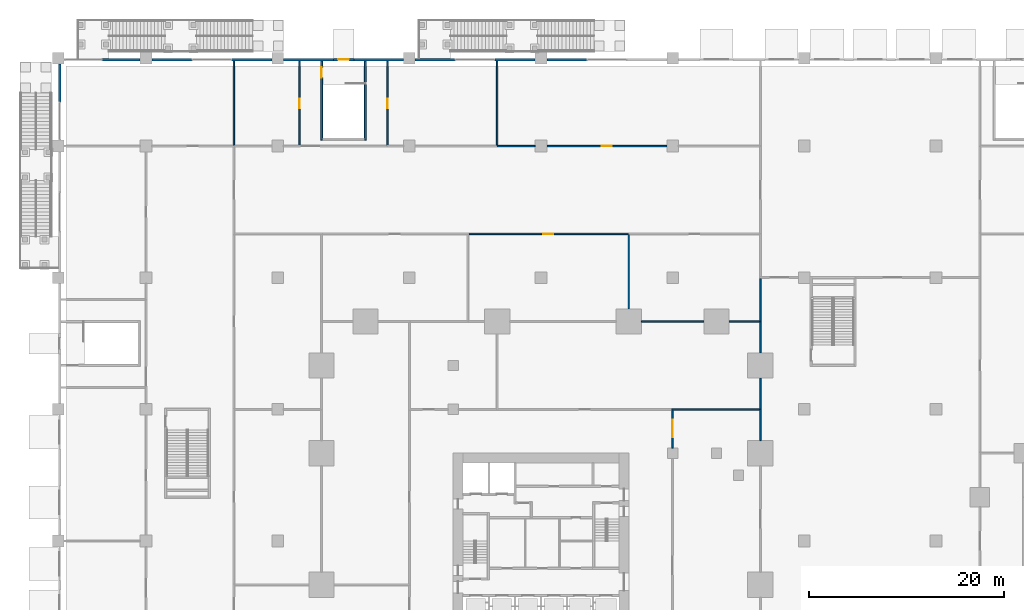
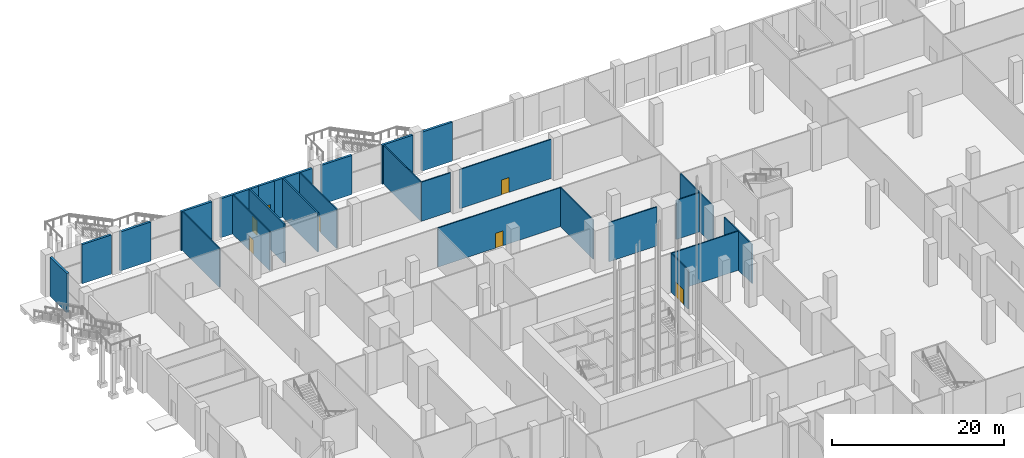
# One storey, part 31 of 68: 28 walls, 7 doors, 7 openings.
"""IFC4 building model written with IfcOpenShell, lengths in metres."""

from ifc_helpers import new_model, si_unit, direction, frame, frame_2d, origin, place, context, subcontext, project, spatial, rectangle, extrude, material, layer, layer_set, type_object, element, fill, save


model = new_model("IFC4")

# Units and contexts
model_context = context("Model", 3, precision=1e-05, world=origin(), true_north=direction((0.0, 1.0)))
body_context = subcontext(model_context, "Body", "Model", "MODEL_VIEW")
ifc_project = project(units=[si_unit("LENGTHUNIT", "METRE"), si_unit("AREAUNIT", "SQUARE_METRE"), si_unit("VOLUMEUNIT", "CUBIC_METRE"), si_unit("PLANEANGLEUNIT", "RADIAN"), si_unit("MASSUNIT", "GRAM", prefix="KILO")], contexts=[model_context])

# Site, building, storey
site_placement = place(None, origin())
site = spatial("IfcSite", under=ifc_project, at=site_placement, CompositionType="ELEMENT")
building_placement = place(site_placement, origin())
building = spatial("IfcBuilding", under=site, at=building_placement, Name="Altepetl Exchange Towers", CompositionType="ELEMENT")
storey_placement = place(building_placement, origin())
storey = spatial("IfcBuildingStorey", under=building, at=storey_placement, Name="L00 Ground concourse", CompositionType="ELEMENT", Elevation=0.0)

# Walls
ifc_material_1 = material(Name="Gypsum board on steel studs", Category="steel")
ifc_layer_1 = layer(ifc_material_1, 0.14990234375)
ifc_layer_set_1 = layer_set([ifc_layer_1], Name="Gypsum board on steel studs")
wall_type_1 = type_object("IfcWallType", Name="Podium partition 150", PredefinedType="PARTITIONING", material=ifc_layer_set_1)
wall_1_placement = place(storey_placement, frame((72.0, 71.925048828125, 0.0), z_axis=(0.0, 0.0, 1.0), x_axis=(0.0, 1.0, 0.0)))
element("IfcWall", 1, at=wall_1_placement, inside=storey, type_object=wall_type_1, Name="wall:P:L00:P015", PredefinedType="PARTITIONING", context=body_context, shape_type="SweptSolid", body=[
    extrude(rectangle(XDim=4.5, YDim=0.14990234375, at=frame_2d((2.25, 0.0))), origin(), (0.0, 0.0, 1.0), 5.550048828125),
])
wall_2_placement = place(storey_placement, frame((72.0, 62.925048828125, 0.0), z_axis=(0.0, 0.0, 1.0), x_axis=(0.0, 1.0, 0.0)))
element("IfcWall", 2, at=wall_2_placement, inside=storey, type_object=wall_type_1, Name="wall:P:L00:P018", PredefinedType="PARTITIONING", context=body_context, shape_type="SweptSolid", body=[
    extrude(rectangle(XDim=3.280029296875, YDim=0.14990234375, at=frame_2d((1.64013671875, 0.0))), origin(), (0.0, 0.0, 1.0), 5.550048828125),
])
for number, where, z_axis, x_axis, name in (
    (3, (72.0, 68.794921875, 0.0), (0.0, 0.0, 1.0), (0.0, 1.0, 0.0), "wall:P:L00:P019"),
    (4, (72.0, 59.794921875, 0.0), (0.0, 0.0, 1.0), (0.0, 1.0, 0.0), "wall:P:L00:P022"),
):
    element("IfcWall", number, at=place(storey_placement, frame(where, z_axis=z_axis, x_axis=x_axis)), inside=storey, type_object=wall_type_1, Name=name, PredefinedType="PARTITIONING", context=body_context, shape_type="SweptSolid", body=[
        extrude(rectangle(XDim=3.205078125, YDim=0.14990234375, at=frame_2d((1.6025390625, 0.0))), origin(), (0.0, 0.0, 1.0), 5.550048828125),
    ])
wall_3_placement = place(storey_placement, frame((45.0, 90.0, 0.0)))
element("IfcWall", 5, at=wall_3_placement, inside=storey, type_object=wall_type_1, Name="wall:P:L00:P093", PredefinedType="PARTITIONING", context=body_context, shape_type="SweptSolid", body=[
    extrude(rectangle(XDim=3.905029296875, YDim=0.14990234375, at=frame_2d((1.95263671875, 0.0))), origin(), (0.0, 0.0, 1.0), 5.550048828125),
])

# Wall, opening, door
wall_4_placement = place(storey_placement, frame((50.094970703125, 90.0, 0.0)))
wall_4 = element("IfcWall", 6, at=wall_4_placement, inside=storey, type_object=wall_type_1, Name="wall:P:L00:P094", PredefinedType="PARTITIONING", context=body_context, shape_type="SweptSolid", body=[
    extrude(rectangle(XDim=12.31005859375, YDim=0.14990234375, at=frame_2d((6.155029296875, 0.0))), origin(), (0.0, 0.0, 1.0), 5.550048828125),
])
opening_1_placement = place(wall_4_placement, frame((5.64990234375, 0.0, 0.0)))
opening_1 = element("IfcOpeningElement", 7, at=opening_1_placement, cuts=wall_4, Name="Opening L00.P013", PredefinedType="OPENING", context=body_context, shape_type="SweptSolid", body=[
    extrude(rectangle(XDim=1.0, YDim=2.10009765625, at=frame_2d((0.5, 1.050048828125))), frame((0.0, 0.0849609375, 0.0), z_axis=(0.0, -1.0, 0.0), x_axis=(1.0, 0.0, 0.0)), (0.0, 0.0, 1.0), 0.169921875),
])
ifc_material_2 = material(Name="Steel and timber fire door", Category="steel")
door_type_1 = type_object("IfcDoorType", Name="Podium fire door 1000 x 2100 single leaf", OperationType="SINGLE_SWING_LEFT", PredefinedType="DOOR", material=ifc_material_2)
door_1_placement = place(opening_1_placement, origin())
door_1 = element("IfcDoor", 8, at=door_1_placement, inside=storey, type_object=door_type_1, Name="door:P:L00:013", OperationType="SINGLE_SWING_RIGHT", OverallHeight=2.10009765625, OverallWidth=1.0, PredefinedType="DOOR", context=body_context, shape_type="SweptSolid", body=[
    extrude(rectangle(XDim=1.0, YDim=2.10009765625, at=frame_2d((0.5, 1.050048828125))), frame((0.0, 0.02490234375, 0.0), z_axis=(0.0, -1.0, 0.0), x_axis=(1.0, 0.0, 0.0)), (0.0, 0.0, 1.0), 0.050048828125),
])
fill(opening_1, door_1)

wall_5_placement = place(storey_placement, frame((42.0, 81.0, 0.0)))
wall_5 = element("IfcWall", 9, at=wall_5_placement, inside=storey, type_object=wall_type_1, Name="wall:P:L00:P098", PredefinedType="PARTITIONING", context=body_context, shape_type="SweptSolid", body=[
    extrude(rectangle(XDim=16.574951171875, YDim=0.14990234375, at=frame_2d((8.28759765625, 0.0))), origin(), (0.0, 0.0, 1.0), 5.550048828125),
])
opening_2_placement = place(wall_5_placement, frame((7.75, 0.0, 0.0)))
opening_2 = element("IfcOpeningElement", 10, at=opening_2_placement, cuts=wall_5, Name="Opening L00.P022", PredefinedType="OPENING", context=body_context, shape_type="SweptSolid", body=[
    extrude(rectangle(XDim=1.0, YDim=2.10009765625, at=frame_2d((0.5, 1.050048828125))), frame((0.0, 0.0849609375, 0.0), z_axis=(0.0, -1.0, 0.0), x_axis=(1.0, 0.0, 0.0)), (0.0, 0.0, 1.0), 0.169921875),
])
door_2_placement = place(opening_2_placement, frame((1.0, 0.0, 0.0), x_axis=(-1.0, 0.0, 0.0)))
door_2 = element("IfcDoor", 11, at=door_2_placement, inside=storey, type_object=door_type_1, Name="door:P:L00:022", OperationType="SINGLE_SWING_LEFT", OverallHeight=2.10009765625, OverallWidth=1.0, PredefinedType="DOOR", context=body_context, shape_type="SweptSolid", body=[
    extrude(rectangle(XDim=1.0, YDim=2.10009765625, at=frame_2d((0.5, 1.050048828125))), frame((0.0, 0.02490234375, 0.0), z_axis=(0.0, -1.0, 0.0), x_axis=(1.0, 0.0, 0.0)), (0.0, 0.0, 1.0), 0.050048828125),
])
fill(opening_2, door_2)

# Wall
wall_6_placement = place(storey_placement, frame((18.0, 90.074951171875, 0.0), z_axis=(0.0, 0.0, 1.0), x_axis=(0.0, 1.0, 0.0)))
element("IfcWall", 12, at=wall_6_placement, inside=storey, type_object=wall_type_1, Name="wall:P:L00:P113", PredefinedType="PARTITIONING", context=body_context, shape_type="SweptSolid", body=[
    extrude(rectangle(XDim=8.625, YDim=0.14990234375, at=frame_2d((4.3125, 0.0))), origin(), (0.0, 0.0, 1.0), 5.550048828125),
])

# Wall, opening, door
wall_7_placement = place(storey_placement, frame((24.75, 90.074951171875, 0.0), z_axis=(0.0, 0.0, 1.0), x_axis=(0.0, 1.0, 0.0)))
wall_7 = element("IfcWall", 13, at=wall_7_placement, inside=storey, type_object=wall_type_1, Name="wall:P:L00:P114", PredefinedType="PARTITIONING", context=body_context, shape_type="SweptSolid", body=[
    extrude(rectangle(XDim=8.625, YDim=0.14990234375, at=frame_2d((4.3125, 0.0))), origin(), (0.0, 0.0, 1.0), 5.550048828125),
])
opening_3_placement = place(wall_7_placement, frame((3.77490234375, 0.0, 0.0)))
opening_3 = element("IfcOpeningElement", 14, at=opening_3_placement, cuts=wall_7, Name="Opening L00.P011", PredefinedType="OPENING", context=body_context, shape_type="SweptSolid", body=[
    extrude(rectangle(XDim=1.0, YDim=2.10009765625, at=frame_2d((0.5, 1.050048828125))), frame((0.0, 0.0849609375, 0.0), z_axis=(0.0, -1.0, 0.0), x_axis=(1.0, 0.0, 0.0)), (0.0, 0.0, 1.0), 0.169921875),
])
door_3_placement = place(opening_3_placement, origin())
door_3 = element("IfcDoor", 15, at=door_3_placement, inside=storey, type_object=door_type_1, Name="door:P:L00:011", OperationType="SINGLE_SWING_RIGHT", OverallHeight=2.10009765625, OverallWidth=1.0, PredefinedType="DOOR", context=body_context, shape_type="SweptSolid", body=[
    extrude(rectangle(XDim=1.0, YDim=2.10009765625, at=frame_2d((0.5, 1.050048828125))), frame((0.0, 0.02490234375, 0.0), z_axis=(0.0, -1.0, 0.0), x_axis=(1.0, 0.0, 0.0)), (0.0, 0.0, 1.0), 0.050048828125),
])
fill(opening_3, door_3)

wall_8_placement = place(storey_placement, frame((33.75, 90.074951171875, 0.0), z_axis=(0.0, 0.0, 1.0), x_axis=(0.0, 1.0, 0.0)))
wall_8 = element("IfcWall", 16, at=wall_8_placement, inside=storey, type_object=wall_type_1, Name="wall:P:L00:P115", PredefinedType="PARTITIONING", context=body_context, shape_type="SweptSolid", body=[
    extrude(rectangle(XDim=8.625, YDim=0.14990234375, at=frame_2d((4.3125, 0.0))), origin(), (0.0, 0.0, 1.0), 5.550048828125),
])
opening_4_placement = place(wall_8_placement, frame((3.77490234375, 0.0, 0.0)))
opening_4 = element("IfcOpeningElement", 17, at=opening_4_placement, cuts=wall_8, Name="Opening L00.P012", PredefinedType="OPENING", context=body_context, shape_type="SweptSolid", body=[
    extrude(rectangle(XDim=1.0, YDim=2.10009765625, at=frame_2d((0.5, 1.050048828125))), frame((0.0, 0.0849609375, 0.0), z_axis=(0.0, -1.0, 0.0), x_axis=(1.0, 0.0, 0.0)), (0.0, 0.0, 1.0), 0.169921875),
])
door_4_placement = place(opening_4_placement, frame((1.0, 0.0, 0.0), x_axis=(-1.0, 0.0, 0.0)))
door_4 = element("IfcDoor", 18, at=door_4_placement, inside=storey, type_object=door_type_1, Name="door:P:L00:012", OperationType="SINGLE_SWING_LEFT", OverallHeight=2.10009765625, OverallWidth=1.0, PredefinedType="DOOR", context=body_context, shape_type="SweptSolid", body=[
    extrude(rectangle(XDim=1.0, YDim=2.10009765625, at=frame_2d((0.5, 1.050048828125))), frame((0.0, 0.02490234375, 0.0), z_axis=(0.0, -1.0, 0.0), x_axis=(1.0, 0.0, 0.0)), (0.0, 0.0, 1.0), 0.050048828125),
])
fill(opening_4, door_4)

# Walls
wall_9_placement = place(storey_placement, frame((45.0, 90.074951171875, 0.0), z_axis=(0.0, 0.0, 1.0), x_axis=(0.0, 1.0, 0.0)))
element("IfcWall", 19, at=wall_9_placement, inside=storey, type_object=wall_type_1, Name="wall:P:L00:P119", PredefinedType="PARTITIONING", context=body_context, shape_type="SweptSolid", body=[
    extrude(rectangle(XDim=8.625, YDim=0.14990234375, at=frame_2d((4.3125, 0.0))), origin(), (0.0, 0.0, 1.0), 5.550048828125),
])
wall_10_placement = place(storey_placement, frame((58.5, 73.294921875, 0.0), z_axis=(0.0, 0.0, 1.0), x_axis=(0.0, 1.0, 0.0)))
element("IfcWall", 20, at=wall_10_placement, inside=storey, type_object=wall_type_1, Name="wall:P:L00:P158", PredefinedType="PARTITIONING", context=body_context, shape_type="SweptSolid", body=[
    extrude(rectangle(XDim=7.630126953125, YDim=0.14990234375, at=frame_2d((3.81494140625, 0.0))), origin(), (0.0, 0.0, 1.0), 5.550048828125),
])
wall_11_placement = place(storey_placement, frame((59.794921875, 72.0, 0.0)))
element("IfcWall", 21, at=wall_11_placement, inside=storey, type_object=wall_type_1, Name="wall:P:L00:P161", PredefinedType="PARTITIONING", context=body_context, shape_type="SweptSolid", body=[
    extrude(rectangle(XDim=6.41015625, YDim=0.14990234375, at=frame_2d((3.205078125, 0.0))), origin(), (0.0, 0.0, 1.0), 5.550048828125),
])
wall_12_placement = place(storey_placement, frame((68.794921875, 72.0, 0.0)))
element("IfcWall", 22, at=wall_12_placement, inside=storey, type_object=wall_type_1, Name="wall:P:L00:P162", PredefinedType="PARTITIONING", context=body_context, shape_type="SweptSolid", body=[
    extrude(rectangle(XDim=3.130126953125, YDim=0.14990234375, at=frame_2d((1.56494140625, 0.0))), origin(), (0.0, 0.0, 1.0), 5.550048828125),
])
wall_13_placement = place(storey_placement, frame((62.925048828125, 63.0, 0.0)))
element("IfcWall", 23, at=wall_13_placement, inside=storey, type_object=wall_type_1, Name="wall:P:L00:P175", PredefinedType="PARTITIONING", context=body_context, shape_type="SweptSolid", body=[
    extrude(rectangle(XDim=9.0, YDim=0.14990234375, at=frame_2d((4.5, 0.0))), origin(), (0.0, 0.0, 1.0), 5.550048828125),
])

# Wall, opening, door
wall_14_placement = place(storey_placement, frame((63.0, 59.02001953125, 0.0), z_axis=(0.0, 0.0, 1.0), x_axis=(0.0, 1.0, 0.0)))
wall_14 = element("IfcWall", 24, at=wall_14_placement, inside=storey, type_object=wall_type_1, Name="wall:P:L00:P178", PredefinedType="PARTITIONING", context=body_context, shape_type="SweptSolid", body=[
    extrude(rectangle(XDim=3.905029296875, YDim=0.14990234375, at=frame_2d((1.95263671875, 0.0))), origin(), (0.0, 0.0, 1.0), 5.550048828125),
])
opening_5_placement = place(wall_14_placement, frame((1.10009765625, 0.0, 0.0)))
opening_5 = element("IfcOpeningElement", 25, at=opening_5_placement, cuts=wall_14, Name="Opening L00.P086", PredefinedType="OPENING", context=body_context, shape_type="SweptSolid", body=[
    extrude(rectangle(XDim=1.800048828125, YDim=2.10009765625, at=frame_2d((0.89990234375, 1.050048828125))), frame((0.0, 0.0849609375, 0.0), z_axis=(0.0, -1.0, 0.0), x_axis=(1.0, 0.0, 0.0)), (0.0, 0.0, 1.0), 0.169921875),
])
ifc_material_3 = material(Name="Glazed aluminium and steel", Category="steel")
door_type_2 = type_object("IfcDoorType", Name="Podium fire door 1800 x 2100 double leaf", OperationType="DOUBLE_DOOR_SINGLE_SWING", PredefinedType="DOOR", material=ifc_material_3)
door_5_placement = place(opening_5_placement, frame((1.800048828125, 0.0, 0.0), x_axis=(-1.0, 0.0, 0.0)))
door_5 = element("IfcDoor", 26, at=door_5_placement, inside=storey, type_object=door_type_2, Name="door:P:L00:086", OperationType="DOUBLE_DOOR_SINGLE_SWING", OverallHeight=2.10009765625, OverallWidth=1.800048828125, PredefinedType="DOOR", context=body_context, shape_type="SweptSolid", body=[
    extrude(rectangle(XDim=1.800048828125, YDim=2.10009765625, at=frame_2d((0.89990234375, 1.050048828125))), frame((0.0, 0.02490234375, 0.0), z_axis=(0.0, -1.0, 0.0), x_axis=(1.0, 0.0, 0.0)), (0.0, 0.0, 1.0), 0.050048828125),
])
fill(opening_5, door_5)

ifc_material_4 = material(Name="Reinforced concrete C35/45", Category="concrete")
ifc_layer_2 = layer(ifc_material_4, 0.199951171875)
ifc_layer_set_2 = layer_set([ifc_layer_2], Name="Reinforced concrete C35/45")
wall_type_2 = type_object("IfcWallType", Name="Stair enclosure wall 200", PredefinedType="SOLIDWALL", material=ifc_layer_set_2)
wall_15_placement = place(storey_placement, frame((27.0, 90.60009765625, 0.0), z_axis=(0.0, 0.0, 1.0), x_axis=(0.0, 1.0, 0.0)))
wall_15 = element("IfcWall", 27, at=wall_15_placement, inside=storey, type_object=wall_type_2, Name="wall:P:L00:P116", PredefinedType="SOLIDWALL", context=body_context, shape_type="SweptSolid", body=[
    extrude(rectangle(XDim=8.099853515625, YDim=0.199951171875, at=frame_2d((4.0498046875, 0.0))), origin(), (0.0, 0.0, 1.0), 5.550048828125),
])
opening_6_placement = place(wall_15_placement, frame((6.39990234375, 0.0, 0.0)))
opening_6 = element("IfcOpeningElement", 28, at=opening_6_placement, cuts=wall_15, Name="Opening L00.P057", PredefinedType="OPENING", context=body_context, shape_type="SweptSolid", body=[
    extrude(rectangle(XDim=1.10009765625, YDim=2.10009765625, at=frame_2d((0.550048828125, 1.050048828125))), frame((0.0, 0.10986328125, 0.0), z_axis=(0.0, -1.0, 0.0), x_axis=(1.0, 0.0, 0.0)), (0.0, 0.0, 1.0), 0.219970703125),
])
ifc_material_5 = material(Name="Steel fire door", Category="steel")
door_type_3 = type_object("IfcDoorType", Name="Podium fire door 1100 x 2100 single leaf", OperationType="SINGLE_SWING_LEFT", PredefinedType="DOOR", material=ifc_material_5)
door_6_placement = place(opening_6_placement, origin())
door_6 = element("IfcDoor", 29, at=door_6_placement, inside=storey, type_object=door_type_3, Name="door:P:L00:057", OperationType="SINGLE_SWING_LEFT", OverallHeight=2.10009765625, OverallWidth=1.10009765625, PredefinedType="DOOR", context=body_context, shape_type="SweptSolid", body=[
    extrude(rectangle(XDim=1.10009765625, YDim=2.10009765625, at=frame_2d((0.550048828125, 1.050048828125))), frame((0.0, 0.02490234375, 0.0), z_axis=(0.0, -1.0, 0.0), x_axis=(1.0, 0.0, 0.0)), (0.0, 0.0, 1.0), 0.050048828125),
])
fill(opening_6, door_6)

# Walls
wall_16_placement = place(storey_placement, frame((31.5, 90.60009765625, 0.0), z_axis=(0.0, 0.0, 1.0), x_axis=(0.0, 1.0, 0.0)))
element("IfcWall", 30, at=wall_16_placement, inside=storey, type_object=wall_type_2, Name="wall:P:L00:P117", PredefinedType="SOLIDWALL", context=body_context, shape_type="SweptSolid", body=[
    extrude(rectangle(XDim=8.099853515625, YDim=0.199951171875, at=frame_2d((4.0498046875, 0.0))), origin(), (0.0, 0.0, 1.0), 5.550048828125),
])
ifc_material_6 = material(Name="Cantera limestone cladding", Category="masonry")
ifc_layer_3 = layer(ifc_material_6, 0.300048828125)
ifc_layer_set_3 = layer_set([ifc_layer_3], Name="Cantera limestone cladding")
wall_type_3 = type_object("IfcWallType", Name="Stone wall panel 300", PredefinedType="ELEMENTEDWALL", material=ifc_layer_set_3)
for number, where, z_axis, x_axis, name in (
    (31, (54.216552734375, 98.85009765625, 0.0), (0.0, 0.0, 1.0), (-1.0, 0.0, 0.0), "Stone wall panel"),
    (32, (48.89990234375, 98.85009765625, 0.0), (0.0, 0.0, 1.0), (-1.0, 0.0, 0.0), "Stone wall panel"),
    (33, (40.716552734375, 98.85009765625, 0.0), (0.0, 0.0, 1.0), (-1.0, 0.0, 0.0), "Stone wall panel"),
):
    element("IfcWall", number, at=place(storey_placement, frame(where, z_axis=z_axis, x_axis=x_axis)), inside=storey, type_object=wall_type_3, Name=name, PredefinedType="ELEMENTEDWALL", context=body_context, shape_type="SweptSolid", body=[
        extrude(rectangle(XDim=4.116455078125, YDim=0.300048828125, at=frame_2d((2.05810546875, 0.0))), origin(), (0.0, 0.0, 1.0), 5.550048828125),
    ])
wall_17_placement = place(storey_placement, frame((35.39990234375, 98.85009765625, 0.0), z_axis=(0.0, 0.0, 1.0), x_axis=(-1.0, 0.0, 0.0)))
element("IfcWall", 34, at=wall_17_placement, inside=storey, type_object=wall_type_3, Name="Stone wall panel", PredefinedType="ELEMENTEDWALL", context=body_context, shape_type="SweptSolid", body=[
    extrude(rectangle(XDim=5.099853515625, YDim=0.300048828125, at=frame_2d((2.5498046875, 0.0))), origin(), (0.0, 0.0, 1.0), 5.550048828125),
])

# Wall, opening, door
wall_18_placement = place(storey_placement, frame((30.300048828125, 98.85009765625, 0.0), z_axis=(0.0, 0.0, 1.0), x_axis=(-1.0, 0.0, 0.0)))
wall_18 = element("IfcWall", 35, at=wall_18_placement, inside=storey, type_object=wall_type_3, Name="Stone wall panel", PredefinedType="ELEMENTEDWALL", context=body_context, shape_type="SweptSolid", body=[
    extrude(rectangle(XDim=2.10009765625, YDim=0.300048828125, at=frame_2d((1.050048828125, 0.0))), origin(), (0.0, 0.0, 1.0), 5.550048828125),
])
opening_7_placement = place(wall_18_placement, frame((0.5, 0.0, 0.0)))
opening_7 = element("IfcOpeningElement", 36, at=opening_7_placement, cuts=wall_18, Name="Opening L00.E65", PredefinedType="OPENING", context=body_context, shape_type="SweptSolid", body=[
    extrude(rectangle(XDim=1.10009765625, YDim=2.39990234375, at=frame_2d((0.550048828125, 1.199951171875))), frame((0.0, 0.16015625, 0.0), z_axis=(0.0, -1.0, 0.0), x_axis=(1.0, 0.0, 0.0)), (0.0, 0.0, 1.0), 0.320068359375),
])
ifc_material_7 = material(Name="Steel S275", Category="steel")
door_type_4 = type_object("IfcDoorType", Name="Exit door 1100x2400 pedestrian", OperationType="SINGLE_SWING_LEFT", PredefinedType="NOTDEFINED", material=ifc_material_7)
door_7_placement = place(opening_7_placement, frame((1.10009765625, 0.0, 0.0), x_axis=(-1.0, 0.0, 0.0)))
door_7 = element("IfcDoor", 37, at=door_7_placement, inside=storey, type_object=door_type_4, Name="Exit door", OperationType="SINGLE_SWING_LEFT", OverallHeight=2.39990234375, OverallWidth=1.10009765625, PredefinedType="NOTDEFINED", context=body_context, shape_type="SweptSolid", body=[
    extrude(rectangle(XDim=1.10009765625, YDim=2.39990234375, at=frame_2d((0.550048828125, 1.199951171875))), frame((0.0, 0.02490234375, 0.0), z_axis=(0.0, -1.0, 0.0), x_axis=(1.0, 0.0, 0.0)), (0.0, 0.0, 1.0), 0.050048828125),
])
fill(opening_7, door_7)

# Walls
wall_19_placement = place(storey_placement, frame((28.199951171875, 98.85009765625, 0.0), z_axis=(0.0, 0.0, 1.0), x_axis=(-1.0, 0.0, 0.0)))
element("IfcWall", 38, at=wall_19_placement, inside=storey, type_object=wall_type_3, Name="Stone wall panel", PredefinedType="ELEMENTEDWALL", context=body_context, shape_type="SweptSolid", body=[
    extrude(rectangle(XDim=5.099853515625, YDim=0.300048828125, at=frame_2d((2.5498046875, 0.0))), origin(), (0.0, 0.0, 1.0), 5.550048828125),
])
for number, where, z_axis, x_axis, name in (
    (39, (21.89990234375, 98.85009765625, 0.0), (0.0, 0.0, 1.0), (-1.0, 0.0, 0.0), "Stone wall panel"),
    (40, (13.716552734375, 98.85009765625, 0.0), (0.0, 0.0, 1.0), (-1.0, 0.0, 0.0), "Stone wall panel"),
):
    element("IfcWall", number, at=place(storey_placement, frame(where, z_axis=z_axis, x_axis=x_axis)), inside=storey, type_object=wall_type_3, Name=name, PredefinedType="ELEMENTEDWALL", context=body_context, shape_type="SweptSolid", body=[
        extrude(rectangle(XDim=4.116455078125, YDim=0.300048828125, at=frame_2d((2.05810546875, 0.0))), origin(), (0.0, 0.0, 1.0), 5.550048828125),
    ])
for number, where, z_axis, x_axis, name in (
    (41, (8.39990234375, 98.85009765625, 0.0), (0.0, 0.0, 1.0), (-1.0, 0.0, 0.0), "Stone wall panel"),
    (42, (0.14990234375, 98.39990234375, 0.0), (0.0, 0.0, 1.0), (0.0, -1.0, 0.0), "Stone wall panel"),
):
    element("IfcWall", number, at=place(storey_placement, frame(where, z_axis=z_axis, x_axis=x_axis)), inside=storey, type_object=wall_type_3, Name=name, PredefinedType="ELEMENTEDWALL", context=body_context, shape_type="SweptSolid", body=[
        extrude(rectangle(XDim=3.89990234375, YDim=0.300048828125, at=frame_2d((1.949951171875, 0.0))), origin(), (0.0, 0.0, 1.0), 5.550048828125),
    ])

save(model, "model.ifc")
